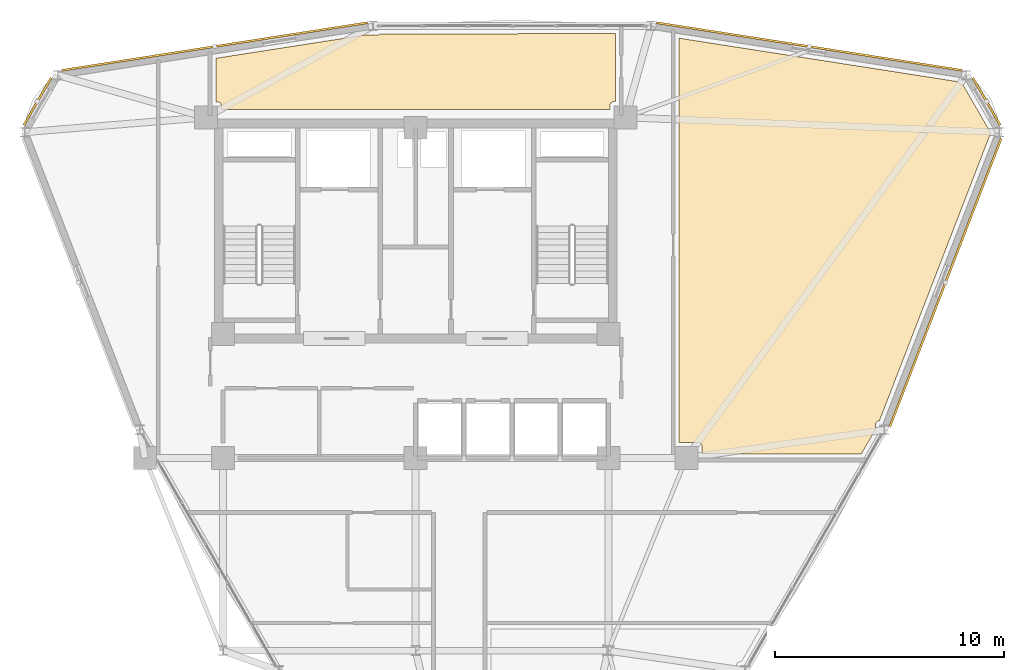
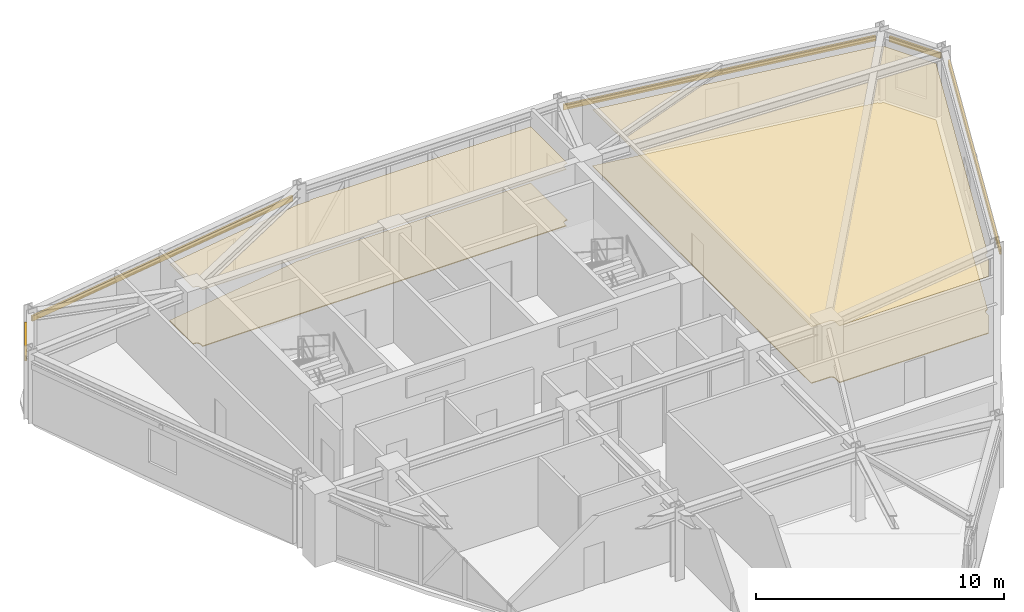
# One storey, part 16 of 16: 5 shading devices, 4 coverings.
"""IFC4 building model written with IfcOpenShell, lengths in metres."""

from ifc_helpers import new_model, si_unit, derived_unit, direction, frame, origin, origin_2d, place, context, subcontext, project, spatial, polyline, hollow_rectangle, outline, extrude, source, transform, mapped, material, layer, layer_set, material_profile, profile_set, type_object, element, save


model = new_model("IFC4")

# Units and contexts
model_context = context("Model", 3, precision=1e-05, world=origin(), true_north=direction((0.0, 1.0)))
body_context = subcontext(model_context, "Body", "Model", "MODEL_VIEW")
ifc_project = project(units=[si_unit("LENGTHUNIT", "METRE"), si_unit("AREAUNIT", "SQUARE_METRE"), si_unit("VOLUMEUNIT", "CUBIC_METRE"), si_unit("PLANEANGLEUNIT", "RADIAN"), si_unit("MASSUNIT", "GRAM", prefix="KILO"), derived_unit("THERMALTRANSMITTANCEUNIT", [(si_unit("POWERUNIT", "WATT"), 1), (si_unit("LENGTHUNIT", "METRE"), -2), (si_unit("THERMODYNAMICTEMPERATUREUNIT", "KELVIN"), -1)])], contexts=[model_context])

# Site, building, storey
site_placement = place(None, origin())
site = spatial("IfcSite", under=ifc_project, at=site_placement, CompositionType="ELEMENT")
building_placement = place(site_placement, origin())
building = spatial("IfcBuilding", under=site, at=building_placement, Name="Korsvarv Bourse and Concert Hall", CompositionType="ELEMENT")
storey_placement = place(building_placement, frame((0.0, 0.0, 227.39990234375)))
storey = spatial("IfcBuildingStorey", under=building, at=storey_placement, Name="L59", CompositionType="ELEMENT", Elevation=227.39990234375)

# Coverings
ifc_material_1 = material(Name="Perforated mineral-wool and birch acoustic baffle ceiling", Category="wood")
ifc_layer_1 = layer(ifc_material_1, 0.02490234375)
ifc_layer_set_1 = layer_set([ifc_layer_1], Name="Perforated mineral-wool and birch acoustic baffle ceiling")
covering_type_1 = type_object("IfcCoveringType", Name="COV-CEIL-1", PredefinedType="CEILING", material=ifc_layer_set_1)
covering_1_placement = place(storey_placement, frame((0.0, 0.0, 2.7900390625)))
element("IfcCovering", 1, at=covering_1_placement, inside=storey, type_object=covering_type_1, Name="L59 acoustic baffle ceiling 1", PredefinedType="CEILING", context=body_context, shape_type="SweptSolid", body=[
    extrude(outline(polyline([(48.489990234375, 32.570068359375), (48.489990234375, 32.89990234375), (48.486572265625, 32.934814453125), (48.4765625, 32.968505859375), (48.4599609375, 32.99951171875), (48.43798828125, 33.026611328125), (48.410888671875, 33.049072265625), (48.380126953125, 33.06591796875), (48.3466796875, 33.076171875), (48.311767578125, 33.080078125), (47.47998046875, 33.088134765625), (47.47998046875, 50.70703125), (59.6337890625, 48.81201171875), (59.647705078125, 48.78759765625), (59.6708984375, 48.760009765625), (59.699462890625, 48.73779296875), (59.731689453125, 48.721435546875), (59.766357421875, 48.712158203125), (59.84228515625, 48.706298828125), (61.05419921875, 46.60693359375), (61.05419921875, 46.53271484375), (56.21923828125, 34.026611328125), (56.19287109375, 34.023681640625), (56.159912109375, 34.013916015625), (56.129150390625, 33.998291015625), (56.102294921875, 33.976806640625), (56.079833984375, 33.95068359375), (56.062744140625, 33.920654296875), (56.0517578125, 33.887939453125), (56.047119140625, 33.853759765625), (56.038818359375, 33.631591796875), (55.426025390625, 32.570068359375), (48.489990234375, 32.570068359375)])), origin(), (0.0, 0.0, 1.0), 0.025146484375),
])
covering_2_placement = place(storey_placement, frame((0.0, 0.0, 2.7900390625)))
element("IfcCovering", 2, at=covering_2_placement, inside=storey, type_object=covering_type_1, Name="L59 acoustic baffle ceiling 3", PredefinedType="CEILING", context=body_context, shape_type="SweptSolid", body=[
    extrude(outline(polyline([(33.87890625, 50.856689453125), (33.905517578125, 50.851318359375), (34.338134765625, 50.843017578125), (34.37451171875, 50.84619140625), (34.4091796875, 50.8564453125), (34.44140625, 50.87353515625), (34.469482421875, 50.896728515625), (44.7099609375, 50.901123046875), (44.7099609375, 47.93994140625), (44.64990234375, 47.93994140625), (44.615478515625, 47.936767578125), (44.582275390625, 47.9267578125), (44.5517578125, 47.910888671875), (44.524658203125, 47.88916015625), (44.502197265625, 47.86279296875), (44.4853515625, 47.83251953125), (44.474365234375, 47.799560546875), (44.47021484375, 47.765380859375), (44.465087890625, 47.60009765625), (27.5400390625, 47.60009765625), (27.5400390625, 47.75), (27.53662109375, 47.7841796875), (27.527099609375, 47.817138671875), (27.510986328125, 47.84765625), (27.48974609375, 47.874755859375), (27.463623046875, 47.897216796875), (27.433837890625, 47.914306640625), (27.4013671875, 47.92529296875), (27.3671875, 47.929931640625), (27.2900390625, 47.932861328125), (27.2900390625, 49.8291015625), (33.87890625, 50.856689453125)])), origin(), (0.0, 0.0, 1.0), 0.025146484375),
])
ifc_material_2 = material(Name="Calcium-sulphate raised access trading floor with Nordic oak top", Category="wood")
ifc_layer_2 = layer(ifc_material_2, 0.0400390625)
ifc_layer_set_2 = layer_set([ifc_layer_2], Name="Calcium-sulphate raised access trading floor with Nordic oak top")
covering_type_2 = type_object("IfcCoveringType", Name="COV-FLOR-1", PredefinedType="FLOORING", material=ifc_layer_set_2)
covering_3_placement = place(storey_placement, origin())
element("IfcCovering", 3, at=covering_3_placement, inside=storey, type_object=covering_type_2, Name="L59 raised access oak floor finish 1", PredefinedType="FLOORING", context=body_context, shape_type="SweptSolid", body=[
    extrude(outline(polyline([(48.489990234375, 32.570068359375), (48.489990234375, 32.89990234375), (48.486572265625, 32.934814453125), (48.4765625, 32.968505859375), (48.4599609375, 32.99951171875), (48.43798828125, 33.026611328125), (48.410888671875, 33.049072265625), (48.380126953125, 33.06591796875), (48.3466796875, 33.076171875), (48.311767578125, 33.080078125), (47.47998046875, 33.088134765625), (47.47998046875, 50.70703125), (59.6337890625, 48.81201171875), (59.647705078125, 48.78759765625), (59.6708984375, 48.760009765625), (59.699462890625, 48.73779296875), (59.731689453125, 48.721435546875), (59.766357421875, 48.712158203125), (59.84228515625, 48.706298828125), (61.05419921875, 46.60693359375), (61.05419921875, 46.53271484375), (56.21923828125, 34.026611328125), (56.19287109375, 34.023681640625), (56.159912109375, 34.013916015625), (56.129150390625, 33.998291015625), (56.102294921875, 33.976806640625), (56.079833984375, 33.95068359375), (56.062744140625, 33.920654296875), (56.0517578125, 33.887939453125), (56.047119140625, 33.853759765625), (56.038818359375, 33.631591796875), (55.426025390625, 32.570068359375), (48.489990234375, 32.570068359375)])), origin(), (0.0, 0.0, 1.0), 0.0400390625),
])
covering_4_placement = place(storey_placement, origin())
element("IfcCovering", 4, at=covering_4_placement, inside=storey, type_object=covering_type_2, Name="L59 raised access oak floor finish 3", PredefinedType="FLOORING", context=body_context, shape_type="SweptSolid", body=[
    extrude(outline(polyline([(33.87890625, 50.856689453125), (33.905517578125, 50.851318359375), (34.338134765625, 50.843017578125), (34.37451171875, 50.84619140625), (34.4091796875, 50.8564453125), (34.44140625, 50.87353515625), (34.469482421875, 50.896728515625), (44.7099609375, 50.901123046875), (44.7099609375, 47.93994140625), (44.64990234375, 47.93994140625), (44.615478515625, 47.936767578125), (44.582275390625, 47.9267578125), (44.5517578125, 47.910888671875), (44.524658203125, 47.88916015625), (44.502197265625, 47.86279296875), (44.4853515625, 47.83251953125), (44.474365234375, 47.799560546875), (44.47021484375, 47.765380859375), (44.465087890625, 47.60009765625), (27.5400390625, 47.60009765625), (27.5400390625, 47.75), (27.53662109375, 47.7841796875), (27.527099609375, 47.817138671875), (27.510986328125, 47.84765625), (27.48974609375, 47.874755859375), (27.463623046875, 47.897216796875), (27.433837890625, 47.914306640625), (27.4013671875, 47.92529296875), (27.3671875, 47.929931640625), (27.2900390625, 47.932861328125), (27.2900390625, 49.8291015625), (33.87890625, 50.856689453125)])), origin(), (0.0, 0.0, 1.0), 0.0400390625),
])

# Shading devices
ifc_material_3 = material(Name="Glazed extruded architectural terracotta", Category="ceramic")
ifc_material_profile = material_profile(ifc_material_3, hollow_rectangle(XDim=0.090087890625, YDim=0.260009765625, WallThickness=0.011962890625, at=origin_2d()), Name="TC-BAG 90x260")
ifc_profile_set = profile_set([ifc_material_profile], Name="Glazed extruded architectural terracotta")
shading_device_type = type_object("IfcShadingDeviceType", Name="SHD-BAG-1", PredefinedType="USERDEFINED", material=ifc_profile_set)
shared_shape_1 = source(origin(), body_context, "Body", "SweptSolid", [
    extrude(hollow_rectangle(XDim=0.090087890625, YDim=0.260009765625, WallThickness=0.011962890625, at=origin_2d()), origin(), (0.0, 0.0, 1.0), 2.384765625),
])
for number, where, z_axis, x_axis, name in (
    (5, (61.484619140625, 46.911865234375, 2.860107421875), (-0.500014901547, 0.866016800201, 0.0), (-0.866016800201, -0.500014901547, 0.0), "L59 terracotta baguette sunshade EW-L59-B01"),
    (6, (20.10791015625, 48.97705078125, 2.860107421875), (-0.500014901547, -0.866016800201, 0.0), (0.866016800201, -0.500014901547, 0.0), "L59 terracotta baguette sunshade EW-L59-B05"),
):
    element("IfcShadingDevice", number, at=place(storey_placement, frame(where, z_axis=z_axis, x_axis=x_axis)), inside=storey, type_object=shading_device_type, Name=name, ObjectType="BAGUETTE", PredefinedType="USERDEFINED", context=body_context, shape_type="MappedRepresentation", body=[
        mapped(shared_shape_1, transform((0.0, 0.0, 0.0), scale=1.0)),
    ])
shared_shape_2 = source(origin(), body_context, "Body", "SweptSolid", [
    extrude(hollow_rectangle(XDim=0.090087890625, YDim=0.260009765625, WallThickness=0.011962890625, at=origin_2d()), origin(), (0.0, 0.0, 1.0), 13.4921875),
])
shading_device_1_placement = place(storey_placement, frame((59.827880859375, 49.302978515625, 2.860107421875), z_axis=(-0.988061317715, 0.154061132134, 0.0), x_axis=(-0.154061132134, -0.988061317715, 0.0)))
element("IfcShadingDevice", 7, at=shading_device_1_placement, inside=storey, type_object=shading_device_type, Name="L59 terracotta baguette sunshade EW-L59-B02", ObjectType="BAGUETTE", PredefinedType="USERDEFINED", context=body_context, shape_type="MappedRepresentation", body=[
    mapped(shared_shape_2, transform((0.0, 0.0, 0.0), scale=1.0)),
])
shared_shape_3 = source(origin(), body_context, "Body", "SweptSolid", [
    extrude(hollow_rectangle(XDim=0.090087890625, YDim=0.260009765625, WallThickness=0.011962890625, at=origin_2d()), origin(), (0.0, 0.0, 1.0), 13.492431640625),
])
shading_device_2_placement = place(storey_placement, frame((33.9033203125, 51.381591796875, 2.800048828125), z_axis=(-0.988061747187, -0.154058377723, 0.0), x_axis=(0.154058377723, -0.988061747187, 0.0)))
element("IfcShadingDevice", 8, at=shading_device_2_placement, inside=storey, type_object=shading_device_type, Name="L59 terracotta baguette sunshade EW-L59-B04", ObjectType="BAGUETTE", PredefinedType="USERDEFINED", context=body_context, shape_type="MappedRepresentation", body=[
    mapped(shared_shape_3, transform((0.0, 0.0, 0.0), scale=1.0)),
])
shared_shape_4 = source(origin(), body_context, "Body", "SweptSolid", [
    extrude(hollow_rectangle(XDim=0.090087890625, YDim=0.260009765625, WallThickness=0.011962890625, at=origin_2d()), origin(), (0.0, 0.0, 1.0), 13.45654296875),
])
shading_device_3_placement = place(storey_placement, frame((56.675537109375, 33.779052734375, 2.860107421875), z_axis=(0.360627094776, 0.932710082777, 0.0), x_axis=(-0.932710082777, 0.360627094776, 0.0)))
element("IfcShadingDevice", 9, at=shading_device_3_placement, inside=storey, type_object=shading_device_type, Name="L59 terracotta baguette sunshade EW-L59-B12", ObjectType="BAGUETTE", PredefinedType="USERDEFINED", context=body_context, shape_type="MappedRepresentation", body=[
    mapped(shared_shape_4, transform((0.0, 0.0, 0.0), scale=1.0)),
])

save(model, "model.ifc")
